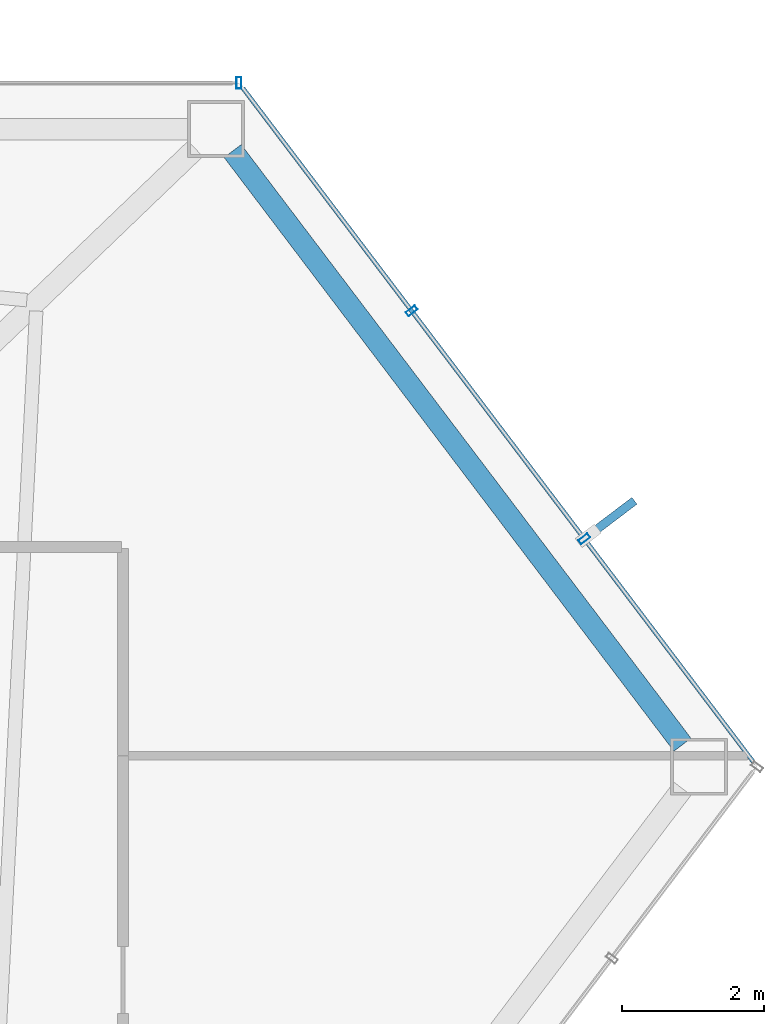
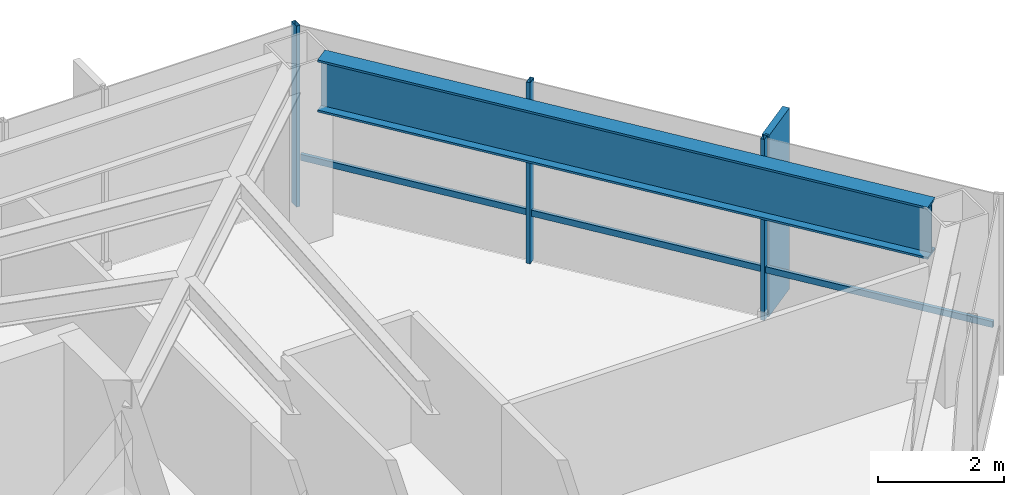
# One storey, part 23 of 28: 5 members, 1 beam, 2 elements without a shape of their own.
"""IFC4 building model written with IfcOpenShell, lengths in metres."""

from ifc_helpers import new_model, si_unit, direction, frame, origin, origin_2d, place, context, subcontext, project, spatial, rectangle, hollow_rectangle, i_section, extrude, material, layer, layer_set, material_profile, profile_set, type_object, element, aggregate, save


model = new_model("IFC4")

# Units and contexts
model_context = context("Model", 3, precision=1e-05, world=origin(), true_north=direction((0.0, 1.0)))
body_context = subcontext(model_context, "Body", "Model", "MODEL_VIEW")
ifc_project = project(units=[si_unit("LENGTHUNIT", "METRE"), si_unit("AREAUNIT", "SQUARE_METRE"), si_unit("VOLUMEUNIT", "CUBIC_METRE"), si_unit("PLANEANGLEUNIT", "RADIAN"), si_unit("MASSUNIT", "GRAM", prefix="KILO")], contexts=[model_context])

# Site, building, storey
site_placement = place(None, origin())
site = spatial("IfcSite", under=ifc_project, at=site_placement, CompositionType="ELEMENT")
building_placement = place(site_placement, origin())
building = spatial("IfcBuilding", under=site, at=building_placement, Name="Zarrinselat Tower", CompositionType="ELEMENT")
storey_placement = place(building_placement, frame((0.0, 0.0, 145.860107421875)))
storey = spatial("IfcBuildingStorey", under=building, at=storey_placement, Name="L35", CompositionType="ELEMENT", Elevation=145.860107421875)

# Beam
ifc_material_1 = material(Name="Steel S460M", Category="steel")
ifc_material_profile_1 = material_profile(ifc_material_1, i_section(OverallWidth=0.302001953125, OverallDepth=1.008056640625, WebThickness=0.02099609375, FlangeThickness=0.0400390625, at=origin_2d()), Name="HEM 1000")
ifc_profile_set_1 = profile_set([ifc_material_profile_1], Name="Steel S460M")
beam_type = type_object("IfcBeamType", Name="BM-HEM1000", PredefinedType="BEAM", material=ifc_profile_set_1)
beam_placement = place(storey_placement, frame((55.5439453125, 48.073974609375, 2.995849609375), z_axis=(0.603871136674, -0.797081959582, 0.0), x_axis=(0.797081959582, 0.603871136674, 0.0)))
element("IfcBeam", 1, at=beam_placement, inside=storey, type_object=beam_type, Name="L35 Perimeter Spandrel Girder SP15", PredefinedType="BEAM", context=body_context, shape_type="SweptSolid", body=[
    extrude(i_section(OverallWidth=0.302001953125, OverallDepth=1.008056640625, WebThickness=0.02099609375, FlangeThickness=0.0400390625, at=origin_2d()), origin(), (0.0, 0.0, 1.0), 10.4853515625),
])

# Curtain wall, member
ifc_material_2 = material(Name="Extruded Aluminium Alloy EN AW-6063 T6", Category="aluminium")
ifc_layer = layer(ifc_material_2, 0.175048828125)
ifc_layer_set = layer_set([ifc_layer], Name="Extruded Aluminium Alloy EN AW-6063 T6")
curtain_wall_type = type_object("IfcCurtainWallType", Name="CWS-HTL", PredefinedType="NOTDEFINED", material=ifc_layer_set)
curtain_wall_1_placement = place(storey_placement, origin())
curtain_wall_1 = element("IfcCurtainWall", 2, at=curtain_wall_1_placement, inside=storey, type_object=curtain_wall_type, Name="L35 Unitised Curtain Wall CW-L35-E01", PredefinedType="NOTDEFINED")
ifc_material_3 = material(Name="Extruded Aluminium Alloy EN AW-6063 T6", Category="aluminium")
ifc_material_profile_2 = material_profile(ifc_material_3, hollow_rectangle(XDim=0.070068359375, YDim=0.159912109375, WallThickness=0.00390625, at=origin_2d()), Name="RHS 160x70x4")
ifc_profile_set_2 = profile_set([ifc_material_profile_2], Name="Extruded Aluminium Alloy EN AW-6063 T6")
member_type_1 = type_object("IfcMemberType", Name="MEM-CW-MUL2", PredefinedType="MULLION", material=ifc_profile_set_2)
member_1_placement = place(storey_placement, frame((55.6328125, 49.033203125, 0.0), z_axis=(0.0, 0.0, 1.0), x_axis=(-1.0, 0.0, 0.0)))
member_1 = element("IfcMember", 3, at=member_1_placement, type_object=member_type_1, Name="CW-L35-E01 Mullion 0", PredefinedType="MULLION", context=body_context, shape_type="SweptSolid", body=[
    extrude(hollow_rectangle(XDim=0.070068359375, YDim=0.159912109375, WallThickness=0.00390625, at=origin_2d()), origin(), (0.0, 0.0, 1.0), 3.5),
])
aggregate(curtain_wall_1, [member_1])

# Curtain wall, members
curtain_wall_2_placement = place(storey_placement, origin())
curtain_wall_2 = element("IfcCurtainWall", 4, at=curtain_wall_2_placement, inside=storey, type_object=curtain_wall_type, Name="L35 Unitised Curtain Wall CW-L35-E06", PredefinedType="NOTDEFINED")
member_2_placement = place(storey_placement, frame((60.49462890625, 42.61572265625, 0.0), z_axis=(0.0, 0.0, 1.0), x_axis=(-0.603861514104, 0.797089249573, 0.0)))
member_2 = element("IfcMember", 5, at=member_2_placement, type_object=member_type_1, Name="CW-L35-E06 Mullion 1", PredefinedType="MULLION", context=body_context, shape_type="SweptSolid", body=[
    extrude(hollow_rectangle(XDim=0.070068359375, YDim=0.159912109375, WallThickness=0.00390625, at=origin_2d()), origin(), (0.0, 0.0, 1.0), 3.5),
])
member_3_placement = place(storey_placement, frame((58.063720703125, 45.824462890625, 0.0), z_axis=(0.0, 0.0, 1.0), x_axis=(-0.603861514104, 0.797089249573, 0.0)))
member_3 = element("IfcMember", 6, at=member_3_placement, type_object=member_type_1, Name="CW-L35-E06 Mullion 2", PredefinedType="MULLION", context=body_context, shape_type="SweptSolid", body=[
    extrude(hollow_rectangle(XDim=0.070068359375, YDim=0.159912109375, WallThickness=0.00390625, at=origin_2d()), origin(), (0.0, 0.0, 1.0), 3.5),
])
ifc_material_4 = material(Name="Extruded Aluminium Alloy EN AW-6063 T6", Category="aluminium")
ifc_material_profile_3 = material_profile(ifc_material_4, hollow_rectangle(XDim=0.06005859375, YDim=0.1201171875, WallThickness=0.00390625, at=origin_2d()), Name="RHS 120x60x4")
ifc_profile_set_3 = profile_set([ifc_material_profile_3], Name="Extruded Aluminium Alloy EN AW-6063 T6")
member_type_2 = type_object("IfcMemberType", Name="MEM-CW-TRN2", PredefinedType="USERDEFINED", material=ifc_profile_set_3)
member_4_placement = place(storey_placement, frame((62.87109375, 39.478515625, 0.949951171875), z_axis=(-0.603850971357, 0.797097236472, 0.0), x_axis=(-0.797097236472, -0.603850971357, 0.0)))
member_4 = element("IfcMember", 7, at=member_4_placement, type_object=member_type_2, Name="CW-L35-E06 Transom 1", ObjectType="TRANSOM", PredefinedType="USERDEFINED", context=body_context, shape_type="SweptSolid", body=[
    extrude(hollow_rectangle(XDim=0.06005859375, YDim=0.1201171875, WallThickness=0.00390625, at=origin_2d()), origin(), (0.0, 0.0, 1.0), 11.897216796875),
])
ifc_material_5 = material(Name="Honed Cream Travertine Stone", Category="masonry")
ifc_material_profile_4 = material_profile(ifc_material_5, rectangle(XDim=0.1201171875, YDim=0.85009765625, at=origin_2d()), Name="FIN 850x120")
ifc_profile_set_4 = profile_set([ifc_material_profile_4], Name="Honed Cream Travertine Stone")
member_type_3 = type_object("IfcMemberType", Name="MEM-STONE-FIN", PredefinedType="USERDEFINED", material=ifc_profile_set_4)
member_5_placement = place(storey_placement, frame((60.861328125, 42.8935546875, 0.0), z_axis=(0.0, 0.0, 1.0), x_axis=(0.603861514104, -0.797089249573, 0.0)))
member_5 = element("IfcMember", 8, at=member_5_placement, type_object=member_type_3, Name="L35 Stone Shading Fin CW-L35-E06-01", ObjectType="FIN", PredefinedType="USERDEFINED", context=body_context, shape_type="SweptSolid", body=[
    extrude(rectangle(XDim=0.1201171875, YDim=0.85009765625, at=origin_2d()), origin(), (0.0, 0.0, 1.0), 3.5),
])
aggregate(curtain_wall_2, [member_2, member_5, member_3, member_4])

save(model, "model.ifc")
